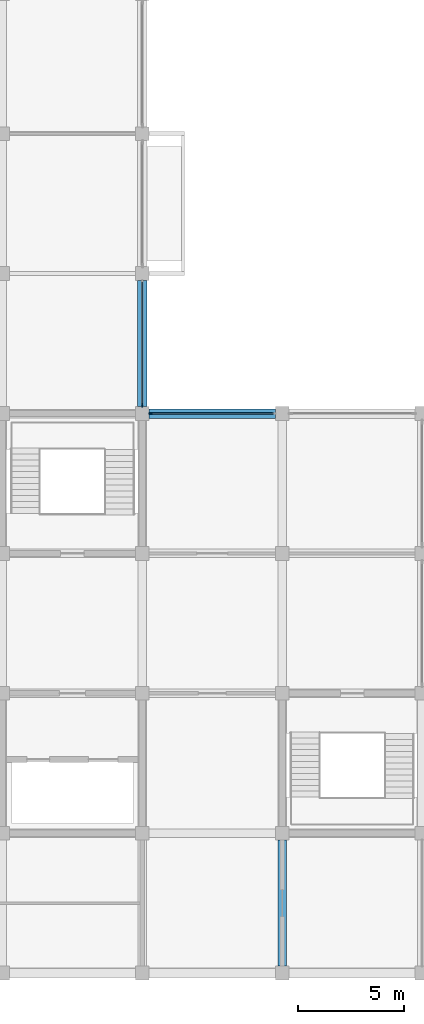
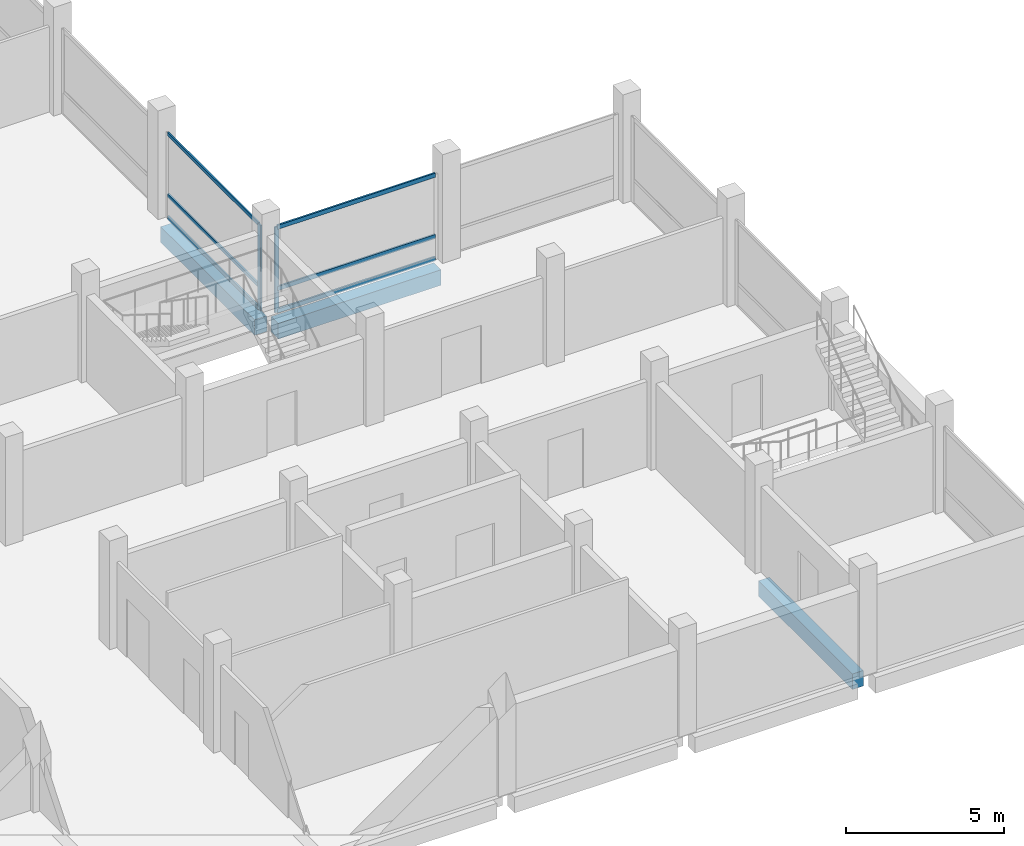
# One storey, part 2 of 11: 8 members, 3 beams, 2 elements without a shape of their own.
"""IFC4 building model written with IfcOpenShell, lengths in metres."""

import ifcopenshell
import ifcopenshell.guid

model = None  # the IFC model being written
_history = None  # IfcOwnerHistory: only IFC2X3 demands one
_inside = {}  # id of a spatial element -> (the spatial element, [elements in it])
_under = {}  # id of a project, library or spatial element -> (it, [spatial elements below it])
_declared = {}  # id of a project -> (the project, [libraries it declares])
_typed = {}  # id of a type object -> (the type object, [elements of that type])
_made_of = {}  # id of a material, layer set ... -> (it, [elements and type objects made of it])


def new_model(schema):
    """Start an empty IFC model of exactly this schema.

    Asked for "IFC4X3", IfcOpenShell would pick the latest addendum, in which some entities
    have other attributes; the version numbers below select the first issue.
    IFC2X3 requires an IfcOwnerHistory on every rooted entity: one is made here for all.
    """
    global model, _history
    if schema == "IFC4X3":
        model = ifcopenshell.file(schema_version=(4, 3, 0, 0))
    else:
        model = ifcopenshell.file(schema=schema)
    _inside.clear()
    _under.clear()
    _declared.clear()
    _typed.clear()
    _made_of.clear()
    _history = None
    if model.schema == "IFC2X3":
        org = make("IfcOrganization", Name="unknown")
        user = make(
            "IfcPersonAndOrganization",
            ThePerson=make("IfcPerson", FamilyName="unknown"),
            TheOrganization=org,
        )
        app = make(
            "IfcApplication",
            ApplicationDeveloper=org,
            Version="unknown",
            ApplicationFullName="unknown",
            ApplicationIdentifier="unknown",
        )
        _history = make(
            "IfcOwnerHistory",
            OwningUser=user,
            OwningApplication=app,
            ChangeAction="ADDED",
            CreationDate=0,
        )
    return model


def make(cls, **values):
    """One entity of the class cls with the attributes given. An attribute that is None is left unset."""
    return model.create_entity(
        cls, **{name: value for name, value in values.items() if value is not None}
    )


def rooted(cls, **values):
    """An entity with a GlobalId (a new one), such as an element, a storey or a relation."""
    return make(cls, GlobalId=ifcopenshell.guid.new(), OwnerHistory=_history, **values)


def si_unit(unit_type, name, prefix=None):
    """IfcSIUnit, for example si_unit("LENGTHUNIT", "METRE", prefix="MILLI")."""
    return make("IfcSIUnit", UnitType=unit_type, Prefix=prefix, Name=name)


def assignment(units):
    """IfcUnitAssignment: the units of a project."""
    return None if units is None else make("IfcUnitAssignment", Units=units)


def point(xyz):
    """IfcCartesianPoint."""
    return None if xyz is None else make("IfcCartesianPoint", Coordinates=xyz)


def direction(xyz):
    """IfcDirection."""
    return None if xyz is None else make("IfcDirection", DirectionRatios=xyz)


def frame(location, z_axis=None, x_axis=None):
    """IfcAxis2Placement3D, a coordinate frame: its origin and axes. An axis left out is left unset."""
    return make(
        "IfcAxis2Placement3D",
        Location=point(location),
        Axis=direction(z_axis),
        RefDirection=direction(x_axis),
    )


def frame_2d(location, x_axis=None):
    """IfcAxis2Placement2D, a coordinate frame in the plane: its origin and x axis."""
    return make(
        "IfcAxis2Placement2D", Location=point(location), RefDirection=direction(x_axis)
    )


def origin():
    """The frame at (0, 0, 0) with its axes left unset."""
    return frame((0.0, 0.0, 0.0))


def origin_2d():
    """The frame at (0, 0) in the plane with its x axis left unset."""
    return frame_2d((0.0, 0.0))


def place(relative_to, where):
    """IfcLocalPlacement: puts the frame where relative to a parent placement (None: the world)."""
    return make(
        "IfcLocalPlacement", PlacementRelTo=relative_to, RelativePlacement=where
    )


def context(
    kind, dimensions, precision=None, world=None, true_north=None, identifier=None
):
    """IfcGeometricRepresentationContext, for example the 3D "Model" context."""
    return make(
        "IfcGeometricRepresentationContext",
        ContextIdentifier=identifier,
        ContextType=kind,
        CoordinateSpaceDimension=dimensions,
        Precision=precision,
        WorldCoordinateSystem=world,
        TrueNorth=true_north,
    )


def subcontext(parent, identifier, kind, view, scale=None):
    """IfcGeometricRepresentationSubContext, for example "Body" below "Model"."""
    return make(
        "IfcGeometricRepresentationSubContext",
        ContextIdentifier=identifier,
        ContextType=kind,
        ParentContext=parent,
        TargetScale=scale,
        TargetView=view,
    )


def project(units=None, contexts=None):
    """IfcProject with its units and contexts."""
    return rooted(
        "IfcProject",
        Name="project",
        RepresentationContexts=contexts,
        UnitsInContext=assignment(units),
    )


def spatial(cls, under=None, at=None, **own):
    """A site, building, storey or space (cls), placed at a placement, below another one or the project."""
    s = rooted(cls, ObjectPlacement=at, **own)
    if under is not None:
        _under.setdefault(under.id(), (under, []))[1].append(s)
    return s


def profile(cls, at=None, kind="AREA", **sizes):
    """A parametric profile (cls). Its sizes go by their IFC names, for example OverallWidth=200.0."""
    return make(cls, ProfileType=kind, Position=at, **sizes)


def rectangle(**sizes):
    """IfcRectangleProfileDef."""
    return profile("IfcRectangleProfileDef", **sizes)


def extrude(swept, where, along, depth):
    """IfcExtrudedAreaSolid: the profile swept, set in the frame where, extruded along a direction by depth."""
    return make(
        "IfcExtrudedAreaSolid",
        SweptArea=swept,
        Position=where,
        ExtrudedDirection=direction(along),
        Depth=depth,
    )


def shape(context_of_items, identifier, shape_type, items):
    """IfcShapeRepresentation: the items that make up one representation, for example the "Body"."""
    return make(
        "IfcShapeRepresentation",
        ContextOfItems=context_of_items,
        RepresentationIdentifier=identifier,
        RepresentationType=shape_type,
        Items=items,
    )


def material(Name=None, Category=None):
    """IfcMaterial."""
    return make("IfcMaterial", Name=Name, Category=Category)


def material_profile(
    of_material, cross_section, Name=None, Category=None, Priority=None
):
    """IfcMaterialProfile: a cross section and its material."""
    return make(
        "IfcMaterialProfile",
        Name=Name,
        Material=of_material,
        Profile=cross_section,
        Priority=Priority,
        Category=Category,
    )


def profile_set(profiles, Name=None, composite=None):
    """IfcMaterialProfileSet."""
    return make(
        "IfcMaterialProfileSet",
        Name=Name,
        MaterialProfiles=profiles,
        CompositeProfile=composite,
    )


def made_of(thing, what):
    """Note that an element or type object is made of a material, layer set ...; save() writes the relation."""
    if what is not None:
        _made_of.setdefault(what.id(), (what, []))[1].append(thing)
    return thing


def type_object(cls, material=None, **own):
    """A type object (cls), such as IfcWallType, which elements share."""
    return made_of(rooted(cls, **own), material)


def element(
    cls,
    number,
    at=None,
    inside=None,
    cuts=None,
    type_object=None,
    material=None,
    context=None,
    identifier="Body",
    shape_type=None,
    held_by="IfcProductDefinitionShape",
    body=None,
    shapes=None,
    **own,
):
    """One element of the class cls, such as IfcWall. Its Tag is "e" and its number.

    at: its placement. inside: the storey or other place that contains it. cuts: it is an
    opening in that element (IfcRelVoidsElement). A single representation is given by context,
    identifier, shape_type and body (its items); several are given by shapes. held_by: the class
    of the entity that holds the representations. save() writes the other relations.
    """
    e = rooted(cls, Tag="e%d" % number, ObjectPlacement=at, **own)
    if body is not None:
        shapes = [shape(context, identifier, shape_type, body)]
    if shapes is not None:
        e.Representation = make(held_by, Representations=shapes)
    if inside is not None:
        _inside.setdefault(inside.id(), (inside, []))[1].append(e)
    if cuts is not None:
        rooted(
            "IfcRelVoidsElement", RelatingBuildingElement=cuts, RelatedOpeningElement=e
        )
    if type_object is not None:
        _typed.setdefault(type_object.id(), (type_object, []))[1].append(e)
    return made_of(e, material)


def aggregate(whole, parts):
    """IfcRelAggregates: a whole, such as a stair, and the parts it consists of."""
    return rooted("IfcRelAggregates", RelatingObject=whole, RelatedObjects=parts)


def save(model, path):
    """Write the relations noted so far, then the file.

    IfcRelAggregates (storeys below a building ...), IfcRelContainedInSpatialStructure (elements
    in a storey), IfcRelDefinesByType, IfcRelAssociatesMaterial and IfcRelDeclares: one each for
    every whole, place, type object, material and project.
    """
    for whole, parts in _under.values():
        aggregate(whole, parts)
    for where, things in _inside.values():
        rooted(
            "IfcRelContainedInSpatialStructure",
            RelatedElements=things,
            RelatingStructure=where,
        )
    for kind, things in _typed.values():
        rooted("IfcRelDefinesByType", RelatedObjects=things, RelatingType=kind)
    for what, things in _made_of.values():
        rooted("IfcRelAssociatesMaterial", RelatedObjects=things, RelatingMaterial=what)
    for by, libraries in _declared.values():
        rooted("IfcRelDeclares", RelatingContext=by, RelatedDefinitions=libraries)
    model.write(path)


model = new_model("IFC4")

# Units and contexts
model_context = context("Model", 3, precision=1e-05, world=origin(), true_north=direction((0.0, 1.0)))
body_context = subcontext(model_context, "Body", "Model", "MODEL_VIEW")
ifc_project = project(units=[si_unit("LENGTHUNIT", "METRE"), si_unit("AREAUNIT", "SQUARE_METRE"), si_unit("VOLUMEUNIT", "CUBIC_METRE"), si_unit("PLANEANGLEUNIT", "RADIAN"), si_unit("MASSUNIT", "GRAM", prefix="KILO")], contexts=[model_context])

# Site, building, storey
site_placement = place(None, origin())
site = spatial("IfcSite", under=ifc_project, at=site_placement, CompositionType="ELEMENT")
building_placement = place(site_placement, origin())
building = spatial("IfcBuilding", under=site, at=building_placement, Name="Rusizi Kubbe Research Institute", CompositionType="ELEMENT")
storey_placement = place(building_placement, frame((0.0, 0.0, 56.39990234375)))
storey = spatial("IfcBuildingStorey", under=building, at=storey_placement, Name="L13", CompositionType="ELEMENT", Elevation=56.39990234375)

# Beams
ifc_material_1 = material(Name="Concrete C40/50", Category="concrete")
ifc_material_profile_1 = material_profile(ifc_material_1, rectangle(XDim=0.39990234375, YDim=0.60009765625, at=origin_2d()), Name="RC400x600")
ifc_profile_set_1 = profile_set([ifc_material_profile_1], Name="Concrete C40/50")
beam_type_1 = type_object("IfcBeamType", Name="BM-RC400x600", PredefinedType="BEAM", material=ifc_profile_set_1)
beam_placement = place(storey_placement, frame((33.0, 0.324951171875, -0.599853515625), z_axis=(0.0, 1.0, 0.0), x_axis=(-1.0, 0.0, 0.0)))
element("IfcBeam", 1, at=beam_placement, inside=storey, type_object=beam_type_1, Name="Grid Beam V L13 (5,0)", PredefinedType="BEAM", context=body_context, shape_type="SweptSolid", body=[
    extrude(rectangle(XDim=0.39990234375, YDim=0.60009765625, at=origin_2d()), origin(), (0.0, 0.0, 1.0), 5.949951171875),
])
ifc_material_2 = material(Name="Concrete C40/50", Category="concrete")
ifc_material_profile_2 = material_profile(ifc_material_2, rectangle(XDim=0.449951171875, YDim=0.60009765625, at=origin_2d()), Name="RC450x600")
ifc_profile_set_2 = profile_set([ifc_material_profile_2], Name="Concrete C40/50")
beam_type_2 = type_object("IfcBeamType", Name="BM-RC450x600", PredefinedType="SPANDREL", material=ifc_profile_set_2)
for number, where, z_axis, x_axis, name in (
    (2, (26.72509765625, 26.39990234375, -0.599853515625), (1.0, 0.0, 0.0), (0.0, 1.0, 0.0), "Grid Beam H L13 (4,4)"),
    (3, (26.39990234375, 26.72509765625, -0.599853515625), (0.0, 1.0, 0.0), (-1.0, 0.0, 0.0), "Grid Beam V L13 (4,4)"),
):
    element("IfcBeam", number, at=place(storey_placement, frame(where, z_axis=z_axis, x_axis=x_axis)), inside=storey, type_object=beam_type_2, Name=name, PredefinedType="SPANDREL", context=body_context, shape_type="SweptSolid", body=[
        extrude(rectangle(XDim=0.449951171875, YDim=0.60009765625, at=origin_2d()), origin(), (0.0, 0.0, 1.0), 5.949951171875),
    ])

# Curtain wall, member
ifc_material_3 = material(Name="Thermally Broken Aluminium and Low-E Glazing", Category="aluminium")
curtain_wall_type_1 = type_object("IfcCurtainWallType", Name="CW-15", PredefinedType="NOTDEFINED", material=ifc_material_3)
curtain_wall_1_placement = place(storey_placement, origin())
curtain_wall_1 = element("IfcCurtainWall", 4, at=curtain_wall_1_placement, inside=storey, type_object=curtain_wall_type_1, Name="Unitised Facade Curtain Wall CW-L13-H-04-04", PredefinedType="NOTDEFINED")
ifc_material_4 = material(Name="Aluminium Alloy 6063-T6", Category="aluminium")
ifc_material_profile_3 = material_profile(ifc_material_4, rectangle(XDim=0.06005859375, YDim=0.14990234375, at=origin_2d()), Name="ALU-M 60x150")
ifc_profile_set_3 = profile_set([ifc_material_profile_3], Name="Aluminium Alloy 6063-T6")
member_type_1 = type_object("IfcMemberType", Name="ML-01", PredefinedType="MULLION", material=ifc_profile_set_3)
member_1_placement = place(storey_placement, frame((26.784912109375, 26.39990234375, 0.0), z_axis=(0.0, 0.0, 1.0), x_axis=(0.0, 1.0, 0.0)))
member_1 = element("IfcMember", 5, at=member_1_placement, type_object=member_type_1, Name="CW-15 mullion 1", PredefinedType="MULLION", context=body_context, shape_type="SweptSolid", body=[
    extrude(rectangle(XDim=0.06005859375, YDim=0.14990234375, at=origin_2d()), origin(), (0.0, 0.0, 1.0), 3.300048828125),
])

# Curtain wall, members
ifc_material_5 = material(Name="Thermally Broken Aluminium and Low-E Glazing", Category="aluminium")
curtain_wall_type_2 = type_object("IfcCurtainWallType", Name="CW-14", PredefinedType="NOTDEFINED", material=ifc_material_5)
curtain_wall_2_placement = place(storey_placement, origin())
curtain_wall_2 = element("IfcCurtainWall", 6, at=curtain_wall_2_placement, inside=storey, type_object=curtain_wall_type_2, Name="Unitised Facade Curtain Wall CW-L13-V-04-04", PredefinedType="NOTDEFINED")
ifc_material_6 = material(Name="Aluminium Alloy 6063-T6", Category="aluminium")
ifc_material_profile_4 = material_profile(ifc_material_6, rectangle(XDim=0.06005859375, YDim=0.179931640625, at=origin_2d()), Name="ALU-M 60x180")
ifc_profile_set_4 = profile_set([ifc_material_profile_4], Name="Aluminium Alloy 6063-T6")
member_type_2 = type_object("IfcMemberType", Name="ML-02", PredefinedType="MULLION", material=ifc_profile_set_4)
member_2_placement = place(storey_placement, frame((26.39990234375, 26.784912109375, 0.0), z_axis=(0.0, 0.0, 1.0), x_axis=(-1.0, 0.0, 0.0)))
member_2 = element("IfcMember", 7, at=member_2_placement, type_object=member_type_2, Name="CW-14 mullion 1", PredefinedType="MULLION", context=body_context, shape_type="SweptSolid", body=[
    extrude(rectangle(XDim=0.06005859375, YDim=0.179931640625, at=origin_2d()), origin(), (0.0, 0.0, 1.0), 3.300048828125),
])
ifc_material_7 = material(Name="Aluminium Alloy 6063-T6", Category="aluminium")
ifc_material_profile_5 = material_profile(ifc_material_7, rectangle(XDim=0.06005859375, YDim=0.139892578125, at=origin_2d()), Name="ALU-T 60x140")
ifc_profile_set_5 = profile_set([ifc_material_profile_5], Name="Aluminium Alloy 6063-T6")
member_type_3 = type_object("IfcMemberType", Name="TR-02", PredefinedType="USERDEFINED", material=ifc_profile_set_5)
member_3_placement = place(storey_placement, frame((26.39990234375, 26.81494140625, 0.030029296875), z_axis=(0.0, 1.0, 0.0), x_axis=(-1.0, 0.0, 0.0)))
member_3 = element("IfcMember", 8, at=member_3_placement, type_object=member_type_3, Name="CW-14 transom 1.1", ObjectType="TRANSOM", PredefinedType="USERDEFINED", context=body_context, shape_type="SweptSolid", body=[
    extrude(rectangle(XDim=0.06005859375, YDim=0.139892578125, at=origin_2d()), origin(), (0.0, 0.0, 1.0), 5.77001953125),
])
member_4_placement = place(storey_placement, frame((26.39990234375, 26.81494140625, 0.900146484375), z_axis=(0.0, 1.0, 0.0), x_axis=(-1.0, 0.0, 0.0)))
member_4 = element("IfcMember", 9, at=member_4_placement, type_object=member_type_3, Name="CW-14 transom 1.2", ObjectType="TRANSOM", PredefinedType="USERDEFINED", context=body_context, shape_type="SweptSolid", body=[
    extrude(rectangle(XDim=0.06005859375, YDim=0.139892578125, at=origin_2d()), origin(), (0.0, 0.0, 1.0), 5.77001953125),
])
member_5_placement = place(storey_placement, frame((26.39990234375, 26.81494140625, 3.27001953125), z_axis=(0.0, 1.0, 0.0), x_axis=(-1.0, 0.0, 0.0)))
member_5 = element("IfcMember", 10, at=member_5_placement, type_object=member_type_3, Name="CW-14 transom 1.3", ObjectType="TRANSOM", PredefinedType="USERDEFINED", context=body_context, shape_type="SweptSolid", body=[
    extrude(rectangle(XDim=0.06005859375, YDim=0.139892578125, at=origin_2d()), origin(), (0.0, 0.0, 1.0), 5.77001953125),
])
aggregate(curtain_wall_2, [member_2, member_3, member_4, member_5])

# Member
ifc_material_8 = material(Name="Aluminium Alloy 6063-T6", Category="aluminium")
ifc_material_profile_6 = material_profile(ifc_material_8, rectangle(XDim=0.06494140625, YDim=0.159912109375, at=origin_2d()), Name="ALU-T 65x160")
ifc_profile_set_6 = profile_set([ifc_material_profile_6], Name="Aluminium Alloy 6063-T6")
member_type_4 = type_object("IfcMemberType", Name="TR-03", PredefinedType="USERDEFINED", material=ifc_profile_set_6)
member_6_placement = place(storey_placement, frame((26.81494140625, 26.39990234375, 0.03271484375), z_axis=(1.0, 0.0, 0.0), x_axis=(0.0, 1.0, 0.0)))
member_6 = element("IfcMember", 11, at=member_6_placement, type_object=member_type_4, Name="CW-15 transom 1.1", ObjectType="TRANSOM", PredefinedType="USERDEFINED", context=body_context, shape_type="SweptSolid", body=[
    extrude(rectangle(XDim=0.06494140625, YDim=0.159912109375, at=origin_2d()), origin(), (0.0, 0.0, 1.0), 5.77001953125),
])

member_7_placement = place(storey_placement, frame((26.81494140625, 26.39990234375, 0.900146484375), z_axis=(1.0, 0.0, 0.0), x_axis=(0.0, 1.0, 0.0)))
member_7 = element("IfcMember", 12, at=member_7_placement, type_object=member_type_4, Name="CW-15 transom 1.2", ObjectType="TRANSOM", PredefinedType="USERDEFINED", context=body_context, shape_type="SweptSolid", body=[
    extrude(rectangle(XDim=0.06494140625, YDim=0.159912109375, at=origin_2d()), origin(), (0.0, 0.0, 1.0), 5.77001953125),
])

member_8_placement = place(storey_placement, frame((26.81494140625, 26.39990234375, 3.267578125), z_axis=(1.0, 0.0, 0.0), x_axis=(0.0, 1.0, 0.0)))
member_8 = element("IfcMember", 13, at=member_8_placement, type_object=member_type_4, Name="CW-15 transom 1.3", ObjectType="TRANSOM", PredefinedType="USERDEFINED", context=body_context, shape_type="SweptSolid", body=[
    extrude(rectangle(XDim=0.06494140625, YDim=0.159912109375, at=origin_2d()), origin(), (0.0, 0.0, 1.0), 5.77001953125),
])

aggregate(curtain_wall_1, [member_1, member_6, member_7, member_8])

save(model, "model.ifc")
